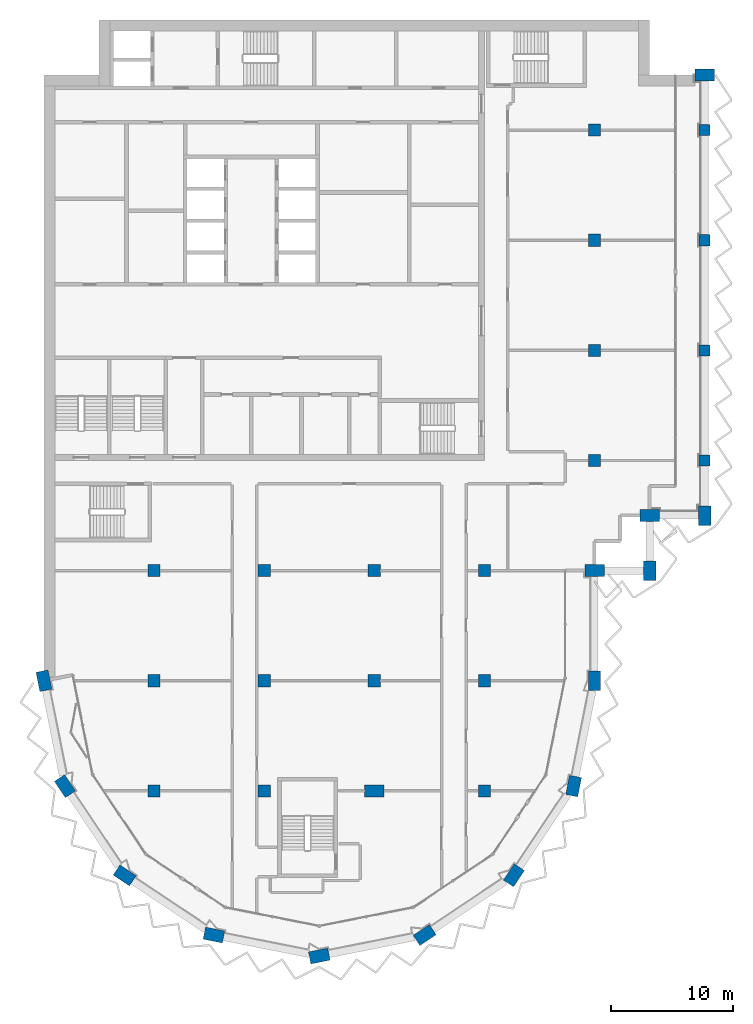
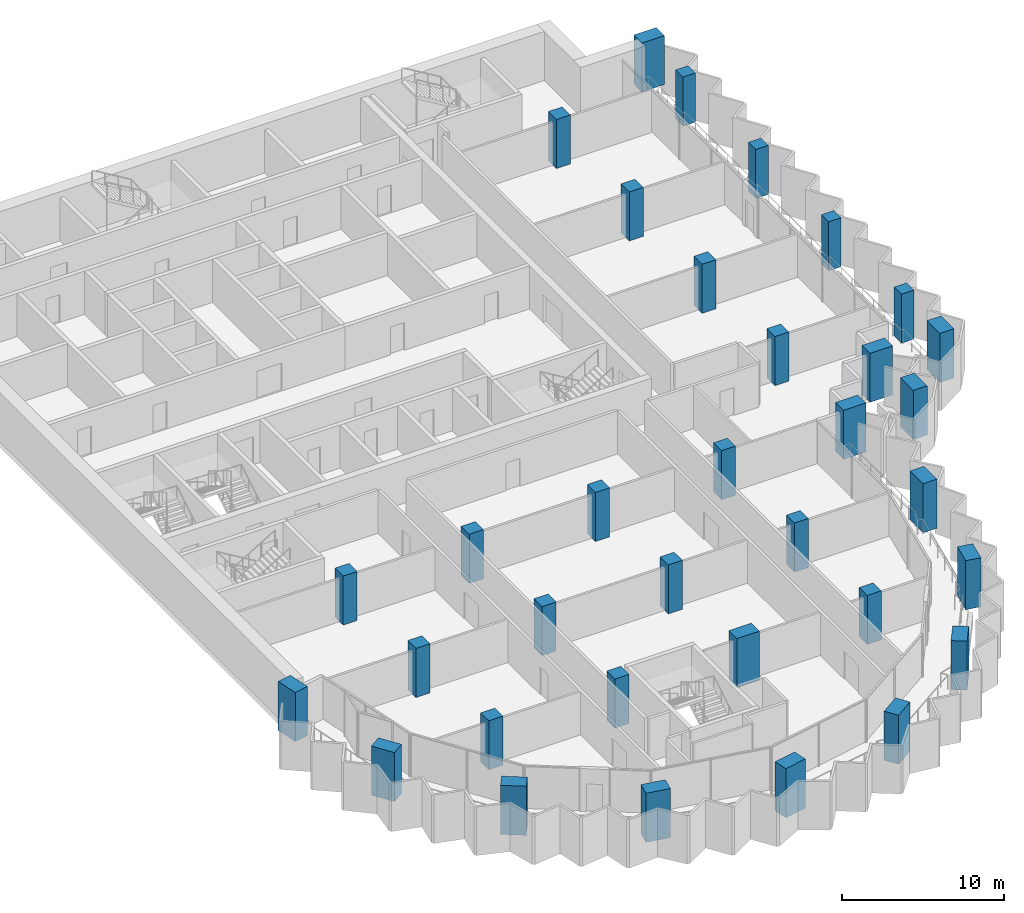
# One storey, part 1 of 17: 34 columns.
"""IFC4 building model written with IfcOpenShell, lengths in metres."""

import ifcopenshell
import ifcopenshell.guid

model = None  # the IFC model being written
_history = None  # IfcOwnerHistory: only IFC2X3 demands one
_inside = {}  # id of a spatial element -> (the spatial element, [elements in it])
_under = {}  # id of a project, library or spatial element -> (it, [spatial elements below it])
_declared = {}  # id of a project -> (the project, [libraries it declares])
_typed = {}  # id of a type object -> (the type object, [elements of that type])
_made_of = {}  # id of a material, layer set ... -> (it, [elements and type objects made of it])


def new_model(schema):
    """Start an empty IFC model of exactly this schema.

    Asked for "IFC4X3", IfcOpenShell would pick the latest addendum, in which some entities
    have other attributes; the version numbers below select the first issue.
    IFC2X3 requires an IfcOwnerHistory on every rooted entity: one is made here for all.
    """
    global model, _history
    if schema == "IFC4X3":
        model = ifcopenshell.file(schema_version=(4, 3, 0, 0))
    else:
        model = ifcopenshell.file(schema=schema)
    _inside.clear()
    _under.clear()
    _declared.clear()
    _typed.clear()
    _made_of.clear()
    _history = None
    if model.schema == "IFC2X3":
        org = make("IfcOrganization", Name="unknown")
        user = make(
            "IfcPersonAndOrganization",
            ThePerson=make("IfcPerson", FamilyName="unknown"),
            TheOrganization=org,
        )
        app = make(
            "IfcApplication",
            ApplicationDeveloper=org,
            Version="unknown",
            ApplicationFullName="unknown",
            ApplicationIdentifier="unknown",
        )
        _history = make(
            "IfcOwnerHistory",
            OwningUser=user,
            OwningApplication=app,
            ChangeAction="ADDED",
            CreationDate=0,
        )
    return model


def make(cls, **values):
    """One entity of the class cls with the attributes given. An attribute that is None is left unset."""
    return model.create_entity(
        cls, **{name: value for name, value in values.items() if value is not None}
    )


def rooted(cls, **values):
    """An entity with a GlobalId (a new one), such as an element, a storey or a relation."""
    return make(cls, GlobalId=ifcopenshell.guid.new(), OwnerHistory=_history, **values)


def si_unit(unit_type, name, prefix=None):
    """IfcSIUnit, for example si_unit("LENGTHUNIT", "METRE", prefix="MILLI")."""
    return make("IfcSIUnit", UnitType=unit_type, Prefix=prefix, Name=name)


def assignment(units):
    """IfcUnitAssignment: the units of a project."""
    return None if units is None else make("IfcUnitAssignment", Units=units)


def point(xyz):
    """IfcCartesianPoint."""
    return None if xyz is None else make("IfcCartesianPoint", Coordinates=xyz)


def direction(xyz):
    """IfcDirection."""
    return None if xyz is None else make("IfcDirection", DirectionRatios=xyz)


def frame(location, z_axis=None, x_axis=None):
    """IfcAxis2Placement3D, a coordinate frame: its origin and axes. An axis left out is left unset."""
    return make(
        "IfcAxis2Placement3D",
        Location=point(location),
        Axis=direction(z_axis),
        RefDirection=direction(x_axis),
    )


def frame_2d(location, x_axis=None):
    """IfcAxis2Placement2D, a coordinate frame in the plane: its origin and x axis."""
    return make(
        "IfcAxis2Placement2D", Location=point(location), RefDirection=direction(x_axis)
    )


def origin():
    """The frame at (0, 0, 0) with its axes left unset."""
    return frame((0.0, 0.0, 0.0))


def origin_2d():
    """The frame at (0, 0) in the plane with its x axis left unset."""
    return frame_2d((0.0, 0.0))


def place(relative_to, where):
    """IfcLocalPlacement: puts the frame where relative to a parent placement (None: the world)."""
    return make(
        "IfcLocalPlacement", PlacementRelTo=relative_to, RelativePlacement=where
    )


def context(
    kind, dimensions, precision=None, world=None, true_north=None, identifier=None
):
    """IfcGeometricRepresentationContext, for example the 3D "Model" context."""
    return make(
        "IfcGeometricRepresentationContext",
        ContextIdentifier=identifier,
        ContextType=kind,
        CoordinateSpaceDimension=dimensions,
        Precision=precision,
        WorldCoordinateSystem=world,
        TrueNorth=true_north,
    )


def subcontext(parent, identifier, kind, view, scale=None):
    """IfcGeometricRepresentationSubContext, for example "Body" below "Model"."""
    return make(
        "IfcGeometricRepresentationSubContext",
        ContextIdentifier=identifier,
        ContextType=kind,
        ParentContext=parent,
        TargetScale=scale,
        TargetView=view,
    )


def project(units=None, contexts=None):
    """IfcProject with its units and contexts."""
    return rooted(
        "IfcProject",
        Name="project",
        RepresentationContexts=contexts,
        UnitsInContext=assignment(units),
    )


def spatial(cls, under=None, at=None, **own):
    """A site, building, storey or space (cls), placed at a placement, below another one or the project."""
    s = rooted(cls, ObjectPlacement=at, **own)
    if under is not None:
        _under.setdefault(under.id(), (under, []))[1].append(s)
    return s


def profile(cls, at=None, kind="AREA", **sizes):
    """A parametric profile (cls). Its sizes go by their IFC names, for example OverallWidth=200.0."""
    return make(cls, ProfileType=kind, Position=at, **sizes)


def rectangle(**sizes):
    """IfcRectangleProfileDef."""
    return profile("IfcRectangleProfileDef", **sizes)


def extrude(swept, where, along, depth):
    """IfcExtrudedAreaSolid: the profile swept, set in the frame where, extruded along a direction by depth."""
    return make(
        "IfcExtrudedAreaSolid",
        SweptArea=swept,
        Position=where,
        ExtrudedDirection=direction(along),
        Depth=depth,
    )


def shape(context_of_items, identifier, shape_type, items):
    """IfcShapeRepresentation: the items that make up one representation, for example the "Body"."""
    return make(
        "IfcShapeRepresentation",
        ContextOfItems=context_of_items,
        RepresentationIdentifier=identifier,
        RepresentationType=shape_type,
        Items=items,
    )


def material(Name=None, Category=None):
    """IfcMaterial."""
    return make("IfcMaterial", Name=Name, Category=Category)


def material_profile(
    of_material, cross_section, Name=None, Category=None, Priority=None
):
    """IfcMaterialProfile: a cross section and its material."""
    return make(
        "IfcMaterialProfile",
        Name=Name,
        Material=of_material,
        Profile=cross_section,
        Priority=Priority,
        Category=Category,
    )


def profile_set(profiles, Name=None, composite=None):
    """IfcMaterialProfileSet."""
    return make(
        "IfcMaterialProfileSet",
        Name=Name,
        MaterialProfiles=profiles,
        CompositeProfile=composite,
    )


def made_of(thing, what):
    """Note that an element or type object is made of a material, layer set ...; save() writes the relation."""
    if what is not None:
        _made_of.setdefault(what.id(), (what, []))[1].append(thing)
    return thing


def type_object(cls, material=None, **own):
    """A type object (cls), such as IfcWallType, which elements share."""
    return made_of(rooted(cls, **own), material)


def element(
    cls,
    number,
    at=None,
    inside=None,
    cuts=None,
    type_object=None,
    material=None,
    context=None,
    identifier="Body",
    shape_type=None,
    held_by="IfcProductDefinitionShape",
    body=None,
    shapes=None,
    **own,
):
    """One element of the class cls, such as IfcWall. Its Tag is "e" and its number.

    at: its placement. inside: the storey or other place that contains it. cuts: it is an
    opening in that element (IfcRelVoidsElement). A single representation is given by context,
    identifier, shape_type and body (its items); several are given by shapes. held_by: the class
    of the entity that holds the representations. save() writes the other relations.
    """
    e = rooted(cls, Tag="e%d" % number, ObjectPlacement=at, **own)
    if body is not None:
        shapes = [shape(context, identifier, shape_type, body)]
    if shapes is not None:
        e.Representation = make(held_by, Representations=shapes)
    if inside is not None:
        _inside.setdefault(inside.id(), (inside, []))[1].append(e)
    if cuts is not None:
        rooted(
            "IfcRelVoidsElement", RelatingBuildingElement=cuts, RelatedOpeningElement=e
        )
    if type_object is not None:
        _typed.setdefault(type_object.id(), (type_object, []))[1].append(e)
    return made_of(e, material)


def aggregate(whole, parts):
    """IfcRelAggregates: a whole, such as a stair, and the parts it consists of."""
    return rooted("IfcRelAggregates", RelatingObject=whole, RelatedObjects=parts)


def save(model, path):
    """Write the relations noted so far, then the file.

    IfcRelAggregates (storeys below a building ...), IfcRelContainedInSpatialStructure (elements
    in a storey), IfcRelDefinesByType, IfcRelAssociatesMaterial and IfcRelDeclares: one each for
    every whole, place, type object, material and project.
    """
    for whole, parts in _under.values():
        aggregate(whole, parts)
    for where, things in _inside.values():
        rooted(
            "IfcRelContainedInSpatialStructure",
            RelatedElements=things,
            RelatingStructure=where,
        )
    for kind, things in _typed.values():
        rooted("IfcRelDefinesByType", RelatedObjects=things, RelatingType=kind)
    for what, things in _made_of.values():
        rooted("IfcRelAssociatesMaterial", RelatedObjects=things, RelatingMaterial=what)
    for by, libraries in _declared.values():
        rooted("IfcRelDeclares", RelatingContext=by, RelatedDefinitions=libraries)
    model.write(path)


model = new_model("IFC4")

# Units and contexts
model_context = context("Model", 3, precision=1e-05, world=origin(), true_north=direction((0.0, 1.0)))
body_context = subcontext(model_context, "Body", "Model", "MODEL_VIEW")
ifc_project = project(units=[si_unit("LENGTHUNIT", "METRE"), si_unit("AREAUNIT", "SQUARE_METRE"), si_unit("VOLUMEUNIT", "CUBIC_METRE"), si_unit("PLANEANGLEUNIT", "RADIAN"), si_unit("MASSUNIT", "GRAM", prefix="KILO")], contexts=[model_context])

# Site, building, storey
site_placement = place(None, origin())
site = spatial("IfcSite", under=ifc_project, at=site_placement, CompositionType="ELEMENT")
building_placement = place(site_placement, origin())
building = spatial("IfcBuilding", under=site, at=building_placement, Name="Hunhe Ridgeline Campus", CompositionType="ELEMENT")
storey_placement = place(building_placement, frame((0.0, 0.0, 272.5)))
storey = spatial("IfcBuildingStorey", under=building, at=storey_placement, Name="L70", CompositionType="ELEMENT", Elevation=272.5)

# Columns
ifc_material = material(Name="Concrete C60", Category="concrete")
ifc_material_profile_1 = material_profile(ifc_material, rectangle(XDim=1.60009765625, YDim=1.0, at=origin_2d()))
ifc_profile_set_1 = profile_set([ifc_material_profile_1], Name="Concrete C60")
column_type_1 = type_object("IfcColumnType", Name="Megacolumn 1600x1000 Concrete C60", PredefinedType="COLUMN", material=ifc_profile_set_1)
for number, where, z_axis, x_axis, name in (
    (1, (22.5, 22.5, 0.0), (0.0, 0.0, 1.0), (0.980785280403, 0.195090322016, 0.0), "Column C14 R13 L70"),
    (2, (13.8896484375, 24.212646484375, 0.0), (0.0, 0.0, 1.0), (-0.980785280403, 0.195090322016, 0.0), "Column C14 R14 L70"),
    (3, (31.1103515625, 24.212646484375, 0.0), (0.0, 0.0, 1.0), (0.831469612303, 0.55557023302, 0.0), "Column C14 R15 L70"),
    (4, (6.590087890625, 29.090087890625, 0.0), (0.0, 0.0, 1.0), (-0.831469612303, 0.55557023302, 0.0), "Column C14 R18 L70"),
    (5, (38.409912109375, 29.090087890625, 0.0), (0.0, 0.0, 1.0), (0.55557023302, 0.831469612303, 0.0), "Column C14 R19 L70"),
    (6, (1.712646484375, 36.3896484375, 0.0), (0.0, 0.0, 1.0), (-0.55557023302, 0.831469612303, 0.0), "Column C14 R23 L70"),
    (7, (43.287353515625, 36.3896484375, 0.0), (0.0, 0.0, 1.0), (0.195090322016, 0.980785280403, 0.0), "Column C14 R24 L70"),
    (8, (0.0, 45.0, 0.0), (0.0, 0.0, 1.0), (-0.195090322016, 0.980785280403, 0.0), "Column C14 F1 L70"),
    (9, (45.0, 45.0, 0.0), (0.0, 0.0, 1.0), (0.0, 1.0, 0.0), "Column C14 F6 L70"),
    (10, (45.0, 54.0, 0.0), (0.0, 0.0, 1.0), (1.0, 0.0, 0.0), "Column C14 G6 L70"),
    (11, (49.5, 54.0, 0.0), (0.0, 0.0, 1.0), (0.0, 1.0, 0.0), "Column C14 R29 L70"),
    (12, (49.5, 58.5, 0.0), (0.0, 0.0, 1.0), (1.0, 0.0, 0.0), "Column C14 R33 L70"),
    (13, (54.0, 58.5, 0.0), (0.0, 0.0, 1.0), (0.0, 1.0, 0.0), "Column C14 R34 L70"),
    (14, (54.0, 94.5, 0.0), (0.0, 0.0, 1.0), (1.0, 0.0, 0.0), "Column C14 R41 L70"),
    (15, (27.0, 36.0, 0.0), (0.0, 0.0, 1.0), (1.0, 0.0, 0.0), "Column C14 E4 L70"),
):
    element("IfcColumn", number, at=place(storey_placement, frame(where, z_axis=z_axis, x_axis=x_axis)), inside=storey, type_object=column_type_1, Name=name, PredefinedType="COLUMN", context=body_context, shape_type="SweptSolid", body=[
        extrude(rectangle(XDim=1.60009765625, YDim=1.0, at=origin_2d()), origin(), (0.0, 0.0, 1.0), 3.699951171875),
    ])
ifc_material_profile_2 = material_profile(ifc_material, rectangle(XDim=1.0, YDim=1.0, at=origin_2d()))
ifc_profile_set_2 = profile_set([ifc_material_profile_2], Name="Concrete C60")
column_type_2 = type_object("IfcColumnType", Name="RC column 1000x1000 Concrete C60", PredefinedType="COLUMN", material=ifc_profile_set_2)
for number, where, z_axis, x_axis, name in (
    (16, (9.0, 36.0, 0.0), (0.0, 0.0, 1.0), (1.0, 0.0, 0.0), "Column C12 E2 L70"),
    (17, (9.0, 45.0, 0.0), (0.0, 0.0, 1.0), (1.0, 0.0, 0.0), "Column C12 F2 L70"),
    (18, (9.0, 54.0, 0.0), (0.0, 0.0, 1.0), (1.0, 0.0, 0.0), "Column C12 G2 L70"),
    (19, (18.0, 36.0, 0.0), (0.0, 0.0, 1.0), (1.0, 0.0, 0.0), "Column C12 E3 L70"),
    (20, (18.0, 45.0, 0.0), (0.0, 0.0, 1.0), (1.0, 0.0, 0.0), "Column C12 F3 L70"),
    (21, (18.0, 54.0, 0.0), (0.0, 0.0, 1.0), (1.0, 0.0, 0.0), "Column C12 G3 L70"),
    (22, (27.0, 45.0, 0.0), (0.0, 0.0, 1.0), (1.0, 0.0, 0.0), "Column C12 F4 L70"),
    (23, (27.0, 54.0, 0.0), (0.0, 0.0, 1.0), (1.0, 0.0, 0.0), "Column C12 G4 L70"),
    (24, (36.0, 36.0, 0.0), (0.0, 0.0, 1.0), (1.0, 0.0, 0.0), "Column C12 E5 L70"),
    (25, (36.0, 45.0, 0.0), (0.0, 0.0, 1.0), (1.0, 0.0, 0.0), "Column C12 F5 L70"),
    (26, (36.0, 54.0, 0.0), (0.0, 0.0, 1.0), (1.0, 0.0, 0.0), "Column C12 G5 L70"),
    (27, (45.0, 63.0, 0.0), (0.0, 0.0, 1.0), (1.0, 0.0, 0.0), "Column C12 H6 L70"),
    (28, (45.0, 72.0, 0.0), (0.0, 0.0, 1.0), (1.0, 0.0, 0.0), "Column C12 I6 L70"),
    (29, (45.0, 81.0, 0.0), (0.0, 0.0, 1.0), (1.0, 0.0, 0.0), "Column C12 J6 L70"),
    (30, (45.0, 90.0, 0.0), (0.0, 0.0, 1.0), (1.0, 0.0, 0.0), "Column C12 K6 L70"),
):
    element("IfcColumn", number, at=place(storey_placement, frame(where, z_axis=z_axis, x_axis=x_axis)), inside=storey, type_object=column_type_2, Name=name, PredefinedType="COLUMN", context=body_context, shape_type="SweptSolid", body=[
        extrude(rectangle(XDim=1.0, YDim=1.0, at=origin_2d()), origin(), (0.0, 0.0, 1.0), 3.699951171875),
    ])
ifc_material_profile_3 = material_profile(ifc_material, rectangle(XDim=0.89990234375, YDim=0.89990234375, at=origin_2d()))
ifc_profile_set_3 = profile_set([ifc_material_profile_3], Name="Concrete C60")
column_type_3 = type_object("IfcColumnType", Name="RC column 900x900 Concrete C60", PredefinedType="COLUMN", material=ifc_profile_set_3)
for number, where, z_axis, x_axis, name in (
    (31, (54.0, 63.0, 0.0), (0.0, 0.0, 1.0), (1.0, 0.0, 0.0), "Column C15 H7 L70"),
    (32, (54.0, 72.0, 0.0), (0.0, 0.0, 1.0), (1.0, 0.0, 0.0), "Column C15 I7 L70"),
    (33, (54.0, 81.0, 0.0), (0.0, 0.0, 1.0), (1.0, 0.0, 0.0), "Column C15 J7 L70"),
    (34, (54.0, 90.0, 0.0), (0.0, 0.0, 1.0), (1.0, 0.0, 0.0), "Column C15 K7 L70"),
):
    element("IfcColumn", number, at=place(storey_placement, frame(where, z_axis=z_axis, x_axis=x_axis)), inside=storey, type_object=column_type_3, Name=name, PredefinedType="COLUMN", context=body_context, shape_type="SweptSolid", body=[
        extrude(rectangle(XDim=0.89990234375, YDim=0.89990234375, at=origin_2d()), origin(), (0.0, 0.0, 1.0), 3.699951171875),
    ])

save(model, "model.ifc")
